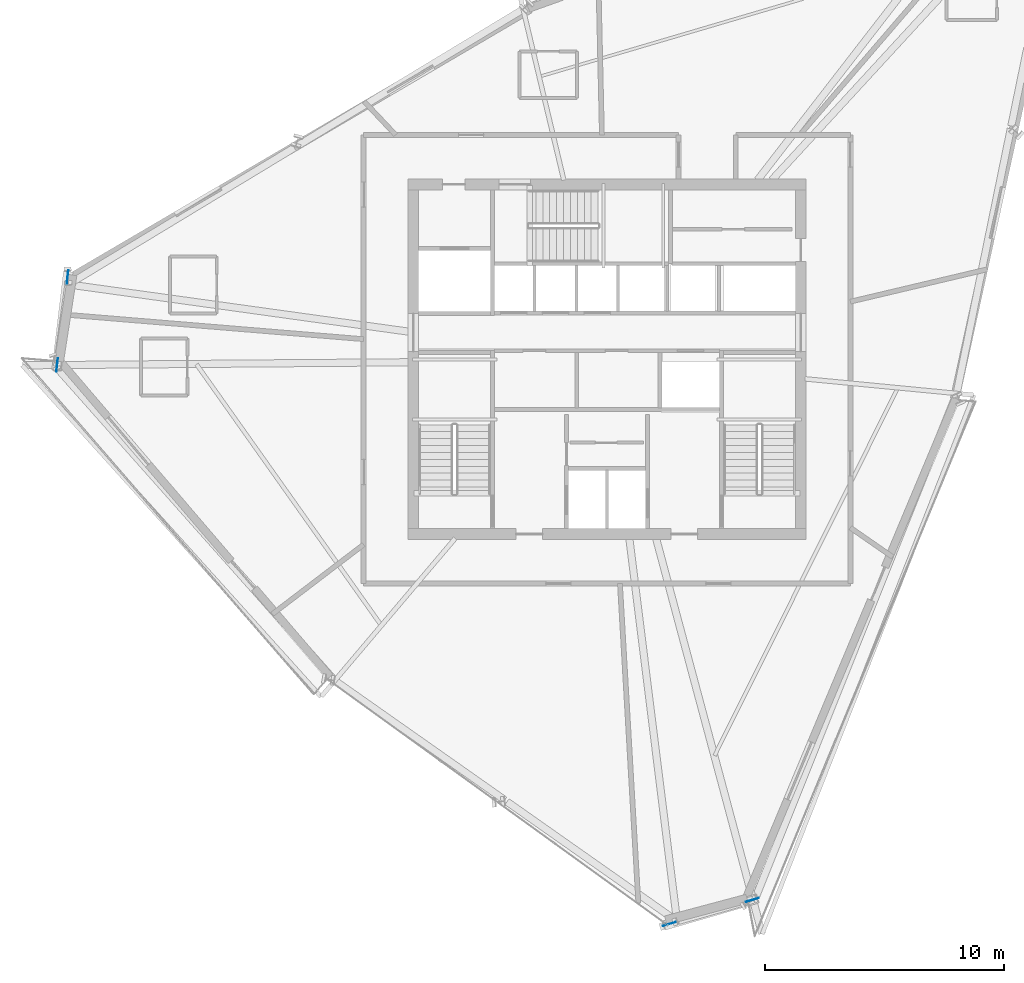
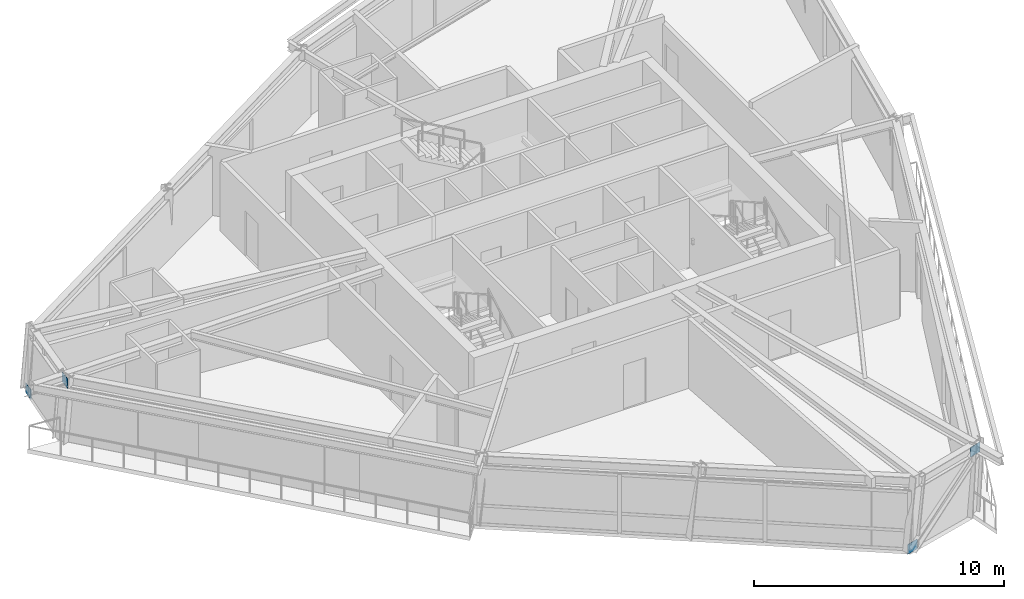
# One storey, part 6 of 14: 4 plates.
"""IFC4 building model written with IfcOpenShell, lengths in metres."""

from ifc_helpers import new_model, si_unit, direction, frame, origin, origin_2d, place, context, subcontext, project, spatial, rectangle, extrude, source, transform, mapped, material, type_object, element, save


model = new_model("IFC4")

# Units and contexts
model_context = context("Model", 3, precision=1e-05, world=origin(), true_north=direction((0.0, 1.0)))
body_context = subcontext(model_context, "Body", "Model", "MODEL_VIEW")
ifc_project = project(units=[si_unit("LENGTHUNIT", "METRE"), si_unit("AREAUNIT", "SQUARE_METRE"), si_unit("VOLUMEUNIT", "CUBIC_METRE"), si_unit("PLANEANGLEUNIT", "RADIAN"), si_unit("MASSUNIT", "GRAM", prefix="KILO")], contexts=[model_context])

# Site, building, storey
site_placement = place(None, origin())
site = spatial("IfcSite", under=ifc_project, at=site_placement, CompositionType="ELEMENT")
building_placement = place(site_placement, origin())
building = spatial("IfcBuilding", under=site, at=building_placement, Name="Olszyna Solenne Hotel", CompositionType="ELEMENT")
storey_placement = place(building_placement, frame((0.0, 0.0, 234.5)))
storey = spatial("IfcBuildingStorey", under=building, at=storey_placement, Name="L62", CompositionType="ELEMENT", Elevation=234.5)

# Plates
ifc_material = material(Name="Steel S355J2", Category="steel")
plate_type = type_object("IfcPlateType", Name="GP-ND2", PredefinedType="USERDEFINED", material=ifc_material)
shared_shape = source(origin(), body_context, "Body", "SweptSolid", [
    extrude(rectangle(XDim=0.56005859375, YDim=0.02001953125, at=origin_2d()), origin(), (0.0, 0.0, 1.0), 0.47998046875),
])
for number, where, z_axis, x_axis, name in (
    (1, (15.39306640625, 30.044921875, -0.1435546875), (0.0, 0.0, 1.0), (-0.117710718809, -0.993047927684, 0.0), "Brace end connection gusset plate GP-ND2 EP-BR-L62-2-1"),
    (2, (14.955322265625, 26.351806640625, 2.778564453125), (0.0, 0.0, 1.0), (-0.117710718809, -0.993047927684, 0.0), "Brace end connection gusset plate GP-ND2 EP-BR-L62-2-2"),
    (3, (40.615234375, 2.927978515625, -0.14208984375), (0.0, 0.0, 1.0), (0.960439633437, 0.278488259221, 0.0), "Brace end connection gusset plate GP-ND2 EP-BR-L62-3-1"),
    (4, (44.0966796875, 3.937744140625, 2.777099609375), (0.0, 0.0, 1.0), (0.960439633437, 0.278488259221, 0.0), "Brace end connection gusset plate GP-ND2 EP-BR-L62-3-2"),
):
    element("IfcPlate", number, at=place(storey_placement, frame(where, z_axis=z_axis, x_axis=x_axis)), inside=storey, type_object=plate_type, Name=name, ObjectType="GUSSET_PLATE", PredefinedType="USERDEFINED", context=body_context, shape_type="MappedRepresentation", body=[
        mapped(shared_shape, transform((0.0, 0.0, 0.0), x_axis=(1.0, 0.0, 0.0), y_axis=(0.0, 1.0, 0.0), z_axis=(0.0, 0.0, 1.0), scale=1.0)),
    ])

save(model, "model.ifc")
